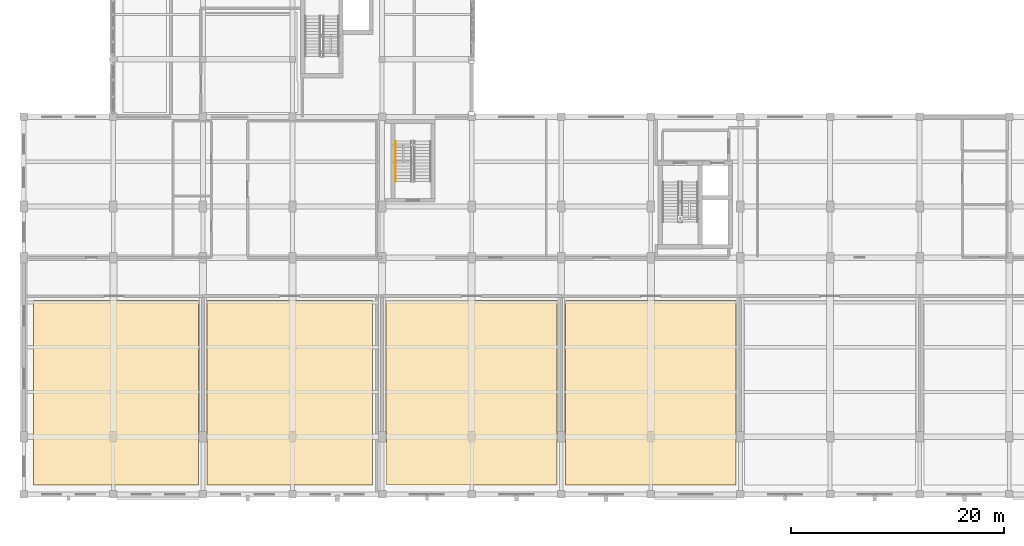
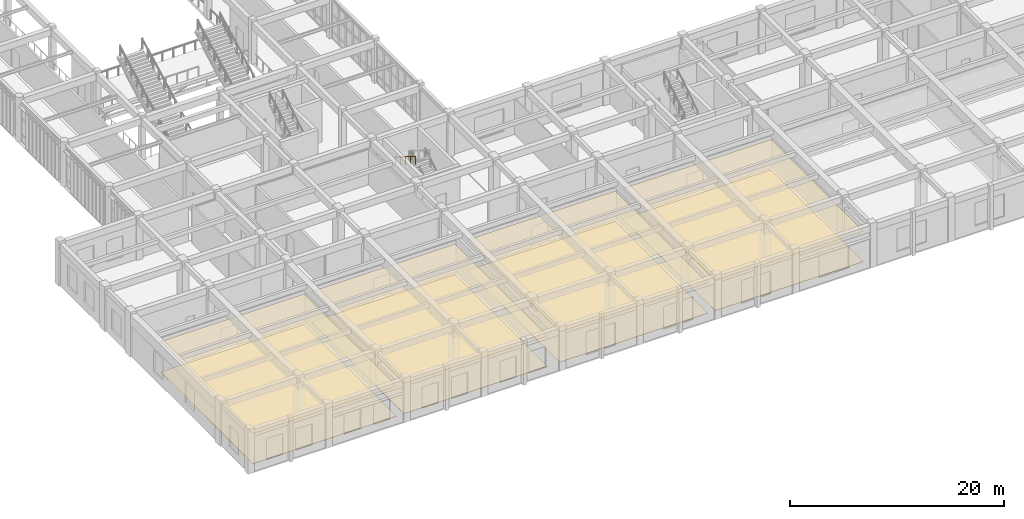
# One storey, part 100 of 106: 8 coverings, 1 railing.
"""IFC4 building model written with IfcOpenShell, lengths in metres."""

from ifc_helpers import new_model, si_unit, direction, frame, origin, origin_2d, place, context, subcontext, project, spatial, polyline, circle, outline, extrude, material, layer, layer_set, type_object, element, save


model = new_model("IFC4")

# Units and contexts
model_context = context("Model", 3, precision=1e-05, world=origin(), true_north=direction((0.0, 1.0)))
body_context = subcontext(model_context, "Body", "Model", "MODEL_VIEW")
ifc_project = project(units=[si_unit("LENGTHUNIT", "METRE"), si_unit("AREAUNIT", "SQUARE_METRE"), si_unit("VOLUMEUNIT", "CUBIC_METRE"), si_unit("PLANEANGLEUNIT", "RADIAN"), si_unit("MASSUNIT", "GRAM", prefix="KILO")], contexts=[model_context])

# Site, building, storey
site_placement = place(None, origin())
site = spatial("IfcSite", under=ifc_project, at=site_placement, CompositionType="ELEMENT")
building_placement = place(site_placement, origin())
building = spatial("IfcBuilding", under=site, at=building_placement, Name="Krzemoval Escarpment Law Courts", CompositionType="ELEMENT")
storey_placement = place(building_placement, frame((0.0, 0.0, 5.10009765625)))
storey = spatial("IfcBuildingStorey", under=building, at=storey_placement, Name="L01", CompositionType="ELEMENT", Elevation=5.10009765625)

# Coverings
ifc_material_1 = material(Name="Micro-Perforated Acoustic Timber and Mineral Fibre Ceiling", Category="wood")
ifc_layer_1 = layer(ifc_material_1, 0.044921875)
ifc_layer_set_1 = layer_set([ifc_layer_1], Name="Micro-Perforated Acoustic Timber and Mineral Fibre Ceiling")
covering_type_1 = type_object("IfcCoveringType", Name="COV-CLG-AC60", PredefinedType="CEILING", material=ifc_layer_set_1)
covering_1_placement = place(storey_placement, frame((0.0, 0.0, 3.449951171875)))
element("IfcCovering", 1, at=covering_1_placement, inside=storey, type_object=covering_type_1, Name="Acoustic Courtroom Ceiling CLG-L01-09", PredefinedType="CEILING", context=body_context, shape_type="SweptSolid", body=[
    extrude(outline(polyline([(0.89990234375, 0.89990234375), (0.89990234375, 18.199951171875), (16.39990234375, 18.199951171875), (16.39990234375, 0.89990234375), (0.89990234375, 0.89990234375)])), origin(), (0.0, 0.0, 1.0), 0.044921875),
])
covering_2_placement = place(storey_placement, frame((0.0, 0.0, 3.449951171875)))
element("IfcCovering", 2, at=covering_2_placement, inside=storey, type_object=covering_type_1, Name="Acoustic Courtroom Ceiling CLG-L01-10", PredefinedType="CEILING", context=body_context, shape_type="SweptSolid", body=[
    extrude(outline(polyline([(17.199951171875, 0.89990234375), (17.199951171875, 18.199951171875), (32.699951171875, 18.199951171875), (32.699951171875, 0.89990234375), (17.199951171875, 0.89990234375)])), origin(), (0.0, 0.0, 1.0), 0.044921875),
])
covering_3_placement = place(storey_placement, frame((0.0, 0.0, 3.449951171875)))
element("IfcCovering", 3, at=covering_3_placement, inside=storey, type_object=covering_type_1, Name="Acoustic Courtroom Ceiling CLG-L01-11", PredefinedType="CEILING", context=body_context, shape_type="SweptSolid", body=[
    extrude(outline(polyline([(34.0, 0.89990234375), (34.0, 18.199951171875), (50.0, 18.199951171875), (50.0, 0.89990234375), (34.0, 0.89990234375)])), origin(), (0.0, 0.0, 1.0), 0.044921875),
])
covering_4_placement = place(storey_placement, frame((0.0, 0.0, 3.449951171875)))
element("IfcCovering", 4, at=covering_4_placement, inside=storey, type_object=covering_type_1, Name="Acoustic Courtroom Ceiling CLG-L01-12", PredefinedType="CEILING", context=body_context, shape_type="SweptSolid", body=[
    extrude(outline(polyline([(50.800048828125, 0.89990234375), (50.800048828125, 18.199951171875), (66.800048828125, 18.199951171875), (66.800048828125, 0.89990234375), (50.800048828125, 0.89990234375)])), origin(), (0.0, 0.0, 1.0), 0.044921875),
])
ifc_material_2 = material(Name="Honed Silesian Granite Stone Flooring", Category="masonry")
ifc_layer_2 = layer(ifc_material_2, 0.030029296875)
ifc_layer_set_2 = layer_set([ifc_layer_2], Name="Honed Silesian Granite Stone Flooring")
covering_type_2 = type_object("IfcCoveringType", Name="COV-FLR-STN30", PredefinedType="FLOORING", material=ifc_layer_set_2)
covering_5_placement = place(storey_placement, origin())
element("IfcCovering", 5, at=covering_5_placement, inside=storey, type_object=covering_type_2, Name="Stone Floor Finish FLR-L01-09", PredefinedType="FLOORING", context=body_context, shape_type="SweptSolid", body=[
    extrude(outline(polyline([(0.89990234375, 0.89990234375), (0.89990234375, 18.199951171875), (16.39990234375, 18.199951171875), (16.39990234375, 0.89990234375), (0.89990234375, 0.89990234375)])), origin(), (0.0, 0.0, 1.0), 0.02978515625),
])
covering_6_placement = place(storey_placement, origin())
element("IfcCovering", 6, at=covering_6_placement, inside=storey, type_object=covering_type_2, Name="Stone Floor Finish FLR-L01-10", PredefinedType="FLOORING", context=body_context, shape_type="SweptSolid", body=[
    extrude(outline(polyline([(17.199951171875, 0.89990234375), (17.199951171875, 18.199951171875), (32.699951171875, 18.199951171875), (32.699951171875, 0.89990234375), (17.199951171875, 0.89990234375)])), origin(), (0.0, 0.0, 1.0), 0.02978515625),
])
covering_7_placement = place(storey_placement, origin())
element("IfcCovering", 7, at=covering_7_placement, inside=storey, type_object=covering_type_2, Name="Stone Floor Finish FLR-L01-11", PredefinedType="FLOORING", context=body_context, shape_type="SweptSolid", body=[
    extrude(outline(polyline([(34.0, 0.89990234375), (34.0, 18.199951171875), (50.0, 18.199951171875), (50.0, 0.89990234375), (34.0, 0.89990234375)])), origin(), (0.0, 0.0, 1.0), 0.02978515625),
])
covering_8_placement = place(storey_placement, origin())
element("IfcCovering", 8, at=covering_8_placement, inside=storey, type_object=covering_type_2, Name="Stone Floor Finish FLR-L01-12", PredefinedType="FLOORING", context=body_context, shape_type="SweptSolid", body=[
    extrude(outline(polyline([(50.800048828125, 0.89990234375), (50.800048828125, 18.199951171875), (66.800048828125, 18.199951171875), (66.800048828125, 0.89990234375), (50.800048828125, 0.89990234375)])), origin(), (0.0, 0.0, 1.0), 0.02978515625),
])

# Railing
ifc_material_3 = material(Name="Brushed Stainless Steel Grade 304 Handrail", Category="steel")
railing_type = type_object("IfcRailingType", Name="RL-HND-900", PredefinedType="HANDRAIL", material=ifc_material_3)
railing_placement = place(storey_placement, frame((34.85009765625, 33.1201171875, 2.73193359375)))
element("IfcRailing", 9, at=railing_placement, inside=storey, type_object=railing_type, Name="L01 ST9 stair handrail 2", PredefinedType="HANDRAIL", context=body_context, shape_type="SweptSolid", body=[
    extrude(circle(Radius=0.02392578125, at=origin_2d()), frame((0.0, 0.0, 0.8759765625), z_axis=(0.0, -0.846819337722, 0.53188063441), x_axis=(1.0, 0.0, 0.0)), (0.0, 0.0, 1.0), 4.451904296875),
    extrude(circle(Radius=0.02099609375, at=origin_2d()), origin(), (0.0, 0.0, 1.0), 0.851806640625),
    extrude(circle(Radius=0.02099609375, at=origin_2d()), frame((0.0, -0.9423828125, 0.592041015625)), (0.0, 0.0, 1.0), 0.851806640625),
    extrude(circle(Radius=0.02099609375, at=origin_2d()), frame((0.0, -1.885009765625, 1.18408203125)), (0.0, 0.0, 1.0), 0.851806640625),
    extrude(circle(Radius=0.02099609375, at=origin_2d()), frame((0.0, -2.82763671875, 1.77587890625)), (0.0, 0.0, 1.0), 0.851806640625),
    extrude(circle(Radius=0.02099609375, at=origin_2d()), frame((0.0, -3.77001953125, 2.367919921875)), (0.0, 0.0, 1.0), 0.851806640625),
])

save(model, "model.ifc")
